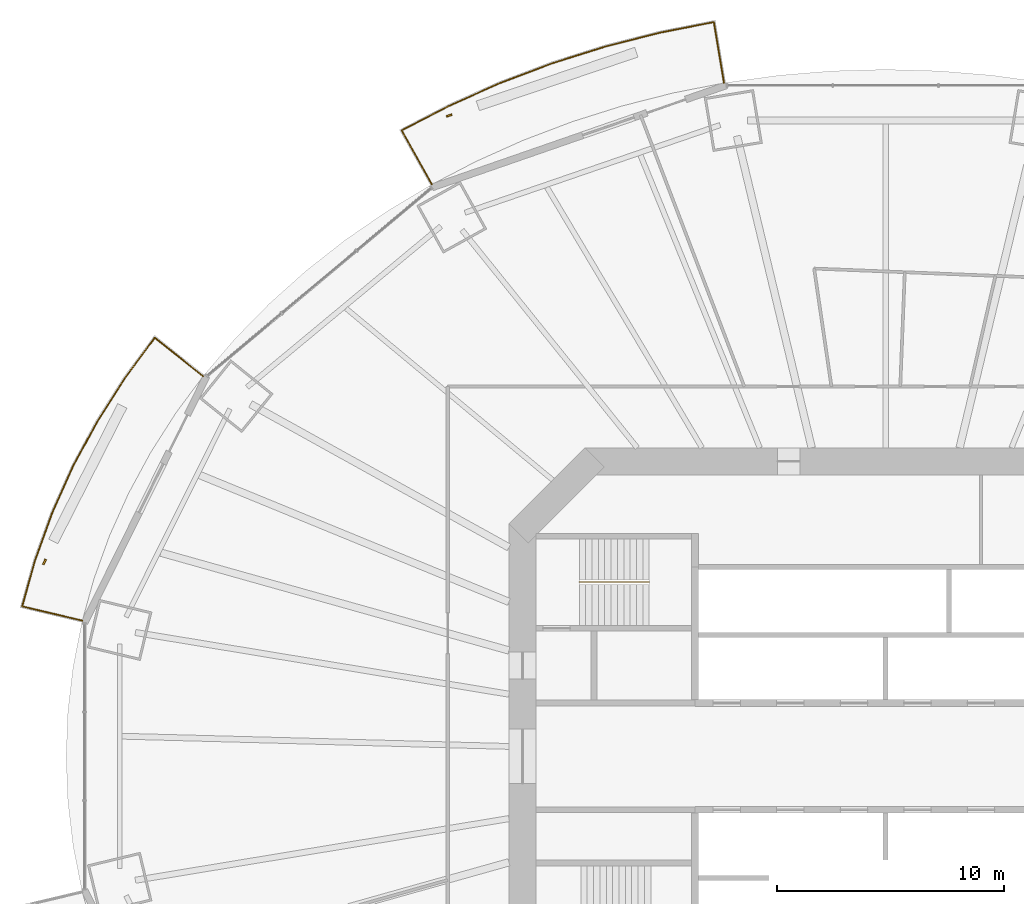
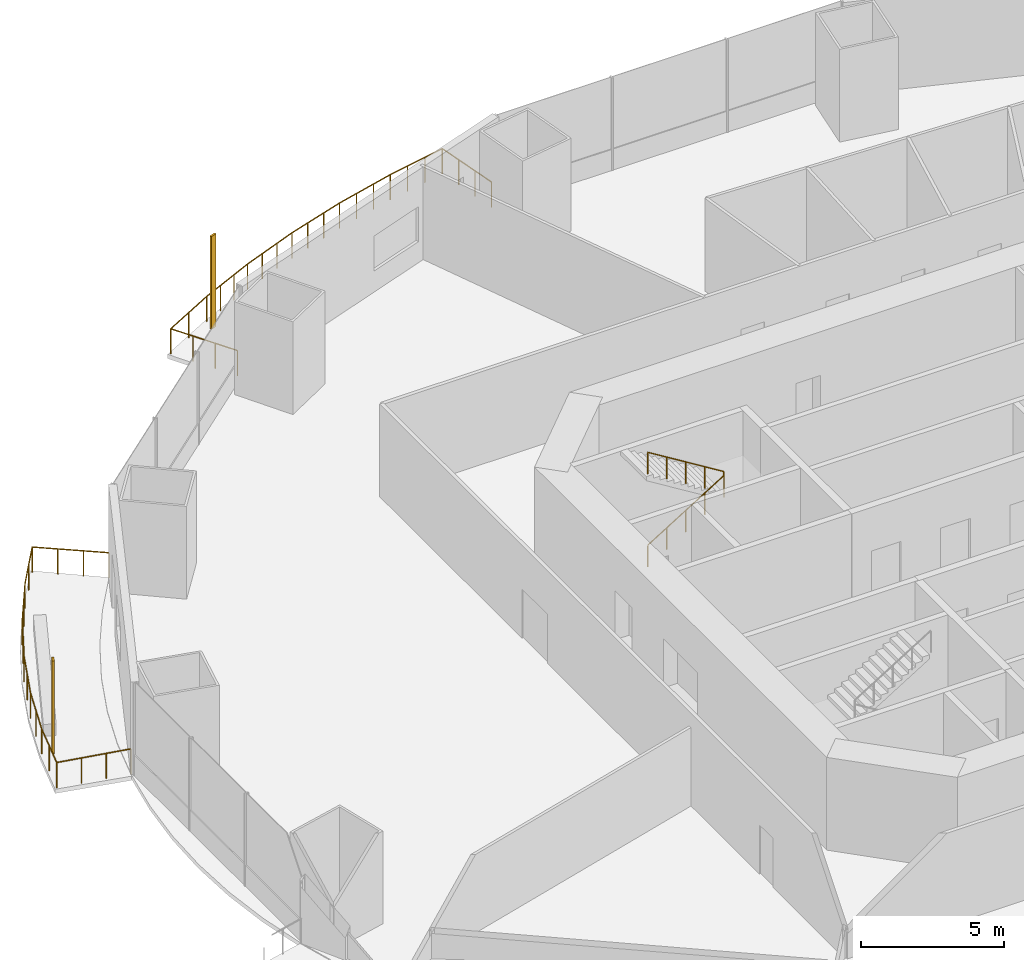
# One storey, part 20 of 23: 3 railings, 2 shading devices.
"""IFC4 building model written with IfcOpenShell, lengths in metres."""

from ifc_helpers import new_model, si_unit, direction, frame, origin, origin_2d, place, context, subcontext, project, spatial, rectangle, circle, extrude, material, material_profile, profile_set, type_object, element, save


model = new_model("IFC4")

# Units and contexts
model_context = context("Model", 3, precision=1e-05, world=origin(), true_north=direction((0.0, 1.0)))
body_context = subcontext(model_context, "Body", "Model", "MODEL_VIEW")
ifc_project = project(units=[si_unit("LENGTHUNIT", "METRE"), si_unit("AREAUNIT", "SQUARE_METRE"), si_unit("VOLUMEUNIT", "CUBIC_METRE"), si_unit("PLANEANGLEUNIT", "RADIAN"), si_unit("MASSUNIT", "GRAM", prefix="KILO")], contexts=[model_context])

# Site, building, storey
site_placement = place(None, origin())
site = spatial("IfcSite", under=ifc_project, at=site_placement, CompositionType="ELEMENT")
building_placement = place(site_placement, origin())
building = spatial("IfcBuilding", under=site, at=building_placement, Name="Marenthal Gate Tower", CompositionType="ELEMENT")
storey_placement = place(building_placement, frame((0.0, 0.0, 62.050048828125)))
storey = spatial("IfcBuildingStorey", under=building, at=storey_placement, Name="L11", CompositionType="ELEMENT", Elevation=62.050048828125)

# Railings
ifc_material_1 = material(Name="Stainless steel", Category="steel")
railing_type_1 = type_object("IfcRailingType", Name="Balcony guard 1100", PredefinedType="GUARDRAIL", material=ifc_material_1)
railing_1_placement = place(storey_placement, frame((-19.99462890625, 25.206787109375, 0.0)))
element("IfcRailing", 1, at=railing_1_placement, inside=storey, type_object=railing_type_1, Name="Balcony guard L11 bay 5", PredefinedType="GUARDRAIL", context=body_context, shape_type="SweptSolid", body=[
    extrude(circle(Radius=0.02392578125, at=origin_2d()), frame((0.0, 0.0, 1.076171875), z_axis=(-0.488848293332, 0.872244641619, -0.014718399138), x_axis=(-0.872339134705, -0.488901251851, 0.0)), (0.0, 0.0, 1.0), 2.720458984375),
    extrude(circle(Radius=0.02392578125, at=origin_2d()), frame((-1.329833984375, 2.372802734375, 1.0361328125), z_axis=(0.887238949587, 0.461310141159, 0.0), x_axis=(-0.461310141159, 0.887238949587, 0.0)), (0.0, 0.0, 1.0), 2.34619140625),
    extrude(circle(Radius=0.02392578125, at=origin_2d()), frame((0.751708984375, 3.455078125, 1.0361328125), z_axis=(0.912604464389, 0.408843602833, 0.0), x_axis=(-0.408843602833, 0.912604464389, 0.0)), (0.0, 0.0, 1.0), 2.443603515625),
    extrude(circle(Radius=0.02392578125, at=origin_2d()), frame((2.981689453125, 4.4541015625, 1.0361328125), z_axis=(0.934856725019, 0.355025215564, 0.0), x_axis=(-0.355025215564, 0.934856725019, 0.0)), (0.0, 0.0, 1.0), 2.459716796875),
    extrude(circle(Radius=0.02392578125, at=origin_2d()), frame((5.28125, 5.327392578125, 1.0361328125), z_axis=(0.953670609563, 0.300852735495, 0.0), x_axis=(-0.300852735495, 0.953670609563, 0.0)), (0.0, 0.0, 1.0), 2.474365234375),
    extrude(circle(Radius=0.02392578125, at=origin_2d()), frame((7.640869140625, 6.07177734375, 1.0361328125), z_axis=(0.969164557422, 0.24641440834, 0.0), x_axis=(-0.24641440834, 0.969164557422, 0.0)), (0.0, 0.0, 1.0), 2.48681640625),
    extrude(circle(Radius=0.02392578125, at=origin_2d()), frame((10.051025390625, 6.6845703125, 1.0361328125), z_axis=(0.981247114518, 0.192753988932, 0.0), x_axis=(-0.192753988932, 0.981247114518, 0.0)), (0.0, 0.0, 1.0), 2.416748046875),
    extrude(circle(Radius=0.02392578125, at=origin_2d()), frame((12.42236328125, 7.150390625, 1.0361328125), z_axis=(0.164599482451, -0.986250661205, 0.014718819587), x_axis=(0.986357511038, 0.164617315064, 0.0)), (0.0, 0.0, 1.0), 2.72021484375),
    extrude(circle(Radius=0.02099609375, at=origin_2d()), origin(), (0.0, 0.0, 1.0), 1.052001953125),
    extrude(circle(Radius=0.02099609375, at=origin_2d()), frame((-0.443359375, 0.791015625, -0.013427734375)), (0.0, 0.0, 1.0), 1.052001953125),
    extrude(circle(Radius=0.02099609375, at=origin_2d()), frame((-0.886474609375, 1.581787109375, -0.026611328125)), (0.0, 0.0, 1.0), 1.052001953125),
    extrude(circle(Radius=0.02099609375, at=origin_2d()), frame((-1.329833984375, 2.372802734375, -0.0400390625)), (0.0, 0.0, 1.0), 1.052001953125),
    extrude(circle(Radius=0.02099609375, at=origin_2d()), frame((-0.2890625, 2.9140625, -0.0400390625)), (0.0, 0.0, 1.0), 1.052001953125),
    extrude(circle(Radius=0.02099609375, at=origin_2d()), frame((0.751708984375, 3.455078125, -0.0400390625)), (0.0, 0.0, 1.0), 1.052001953125),
    extrude(circle(Radius=0.02099609375, at=origin_2d()), frame((1.4951171875, 3.7880859375, -0.0400390625)), (0.0, 0.0, 1.0), 1.052001953125),
    extrude(circle(Radius=0.02099609375, at=origin_2d()), frame((2.23828125, 4.12109375, -0.0400390625)), (0.0, 0.0, 1.0), 1.052001953125),
    extrude(circle(Radius=0.02099609375, at=origin_2d()), frame((2.981689453125, 4.4541015625, -0.0400390625)), (0.0, 0.0, 1.0), 1.052001953125),
    extrude(circle(Radius=0.02099609375, at=origin_2d()), frame((3.748291015625, 4.7451171875, -0.0400390625)), (0.0, 0.0, 1.0), 1.052001953125),
    extrude(circle(Radius=0.02099609375, at=origin_2d()), frame((4.5146484375, 5.036376953125, -0.0400390625)), (0.0, 0.0, 1.0), 1.052001953125),
    extrude(circle(Radius=0.02099609375, at=origin_2d()), frame((5.28125, 5.327392578125, -0.0400390625)), (0.0, 0.0, 1.0), 1.052001953125),
    extrude(circle(Radius=0.02099609375, at=origin_2d()), frame((6.06787109375, 5.575439453125, -0.0400390625)), (0.0, 0.0, 1.0), 1.052001953125),
    extrude(circle(Radius=0.02099609375, at=origin_2d()), frame((6.854248046875, 5.82373046875, -0.0400390625)), (0.0, 0.0, 1.0), 1.052001953125),
    extrude(circle(Radius=0.02099609375, at=origin_2d()), frame((7.640869140625, 6.07177734375, -0.0400390625)), (0.0, 0.0, 1.0), 1.052001953125),
    extrude(circle(Radius=0.02099609375, at=origin_2d()), frame((8.4443359375, 6.276123046875, -0.0400390625)), (0.0, 0.0, 1.0), 1.052001953125),
    extrude(circle(Radius=0.02099609375, at=origin_2d()), frame((9.24755859375, 6.480224609375, -0.0400390625)), (0.0, 0.0, 1.0), 1.052001953125),
    extrude(circle(Radius=0.02099609375, at=origin_2d()), frame((10.051025390625, 6.6845703125, -0.0400390625)), (0.0, 0.0, 1.0), 1.052001953125),
    extrude(circle(Radius=0.02099609375, at=origin_2d()), frame((10.841552734375, 6.83984375, -0.0400390625)), (0.0, 0.0, 1.0), 1.052001953125),
    extrude(circle(Radius=0.02099609375, at=origin_2d()), frame((11.6318359375, 6.9951171875, -0.0400390625)), (0.0, 0.0, 1.0), 1.052001953125),
    extrude(circle(Radius=0.02099609375, at=origin_2d()), frame((12.42236328125, 7.150390625, -0.0400390625)), (0.0, 0.0, 1.0), 1.052001953125),
    extrude(circle(Radius=0.02099609375, at=origin_2d()), frame((12.571533203125, 6.256103515625, -0.026611328125)), (0.0, 0.0, 1.0), 1.052001953125),
    extrude(circle(Radius=0.02099609375, at=origin_2d()), frame((12.720947265625, 5.36181640625, -0.013427734375)), (0.0, 0.0, 1.0), 1.052001953125),
    extrude(circle(Radius=0.02099609375, at=origin_2d()), frame((12.8701171875, 4.467529296875, 0.0)), (0.0, 0.0, 1.0), 1.052001953125),
])
railing_2_placement = place(storey_placement, frame((-35.402587890625, 5.983154296875, 0.0)))
element("IfcRailing", 2, at=railing_2_placement, inside=storey, type_object=railing_type_1, Name="Balcony guard L11 bay 7", PredefinedType="GUARDRAIL", context=body_context, shape_type="SweptSolid", body=[
    extrude(circle(Radius=0.02392578125, at=origin_2d()), frame((0.0, 0.0, 1.076171875), z_axis=(-0.972926666051, 0.23064491576, -0.014718196959), x_axis=(-0.230669901584, -0.973032063451, 0.0)), (0.0, 0.0, 1.0), 2.720458984375),
    extrude(circle(Radius=0.02392578125, at=origin_2d()), frame((-2.646728515625, 0.62744140625, 1.0361328125), z_axis=(0.269464118276, 0.96301043035, 0.0), x_axis=(-0.96301043035, 0.269464118276, 0.0)), (0.0, 0.0, 1.0), 2.130126953125),
    extrude(circle(Radius=0.02392578125, at=origin_2d()), frame((-2.07275390625, 2.6787109375, 1.0361328125), z_axis=(0.340268465621, 0.94032833165, 0.0), x_axis=(-0.94032833165, 0.340268465621, 0.0)), (0.0, 0.0, 1.0), 2.220703125),
    extrude(circle(Radius=0.02392578125, at=origin_2d()), frame((-1.317138671875, 4.766845703125, 1.0361328125), z_axis=(0.40966465878, 0.912236190549, 0.0), x_axis=(-0.912236190549, 0.40966465878, 0.0)), (0.0, 0.0, 1.0), 2.233642578125),
    extrude(circle(Radius=0.02392578125, at=origin_2d()), frame((-0.402099609375, 6.804443359375, 1.0361328125), z_axis=(0.475471623431, 0.879731058513, 0.0), x_axis=(-0.879731058513, 0.475471623431, 0.0)), (0.0, 0.0, 1.0), 2.2490234375),
    extrude(circle(Radius=0.02392578125, at=origin_2d()), frame((0.667236328125, 8.782958984375, 1.0361328125), z_axis=(0.537628198706, 0.843182020655, 0.0), x_axis=(-0.843182020655, 0.537628198706, 0.0)), (0.0, 0.0, 1.0), 2.26611328125),
    extrude(circle(Radius=0.02392578125, at=origin_2d()), frame((1.885498046875, 10.693603515625, 1.0361328125), z_axis=(0.59484873049, 0.803837662613, 0.0), x_axis=(-0.803837662613, 0.59484873049, 0.0)), (0.0, 0.0, 1.0), 2.204345703125),
    extrude(circle(Radius=0.02392578125, at=origin_2d()), frame((3.19677734375, 12.465576171875, 1.0361328125), z_axis=(0.782104673264, -0.6229732083, 0.014719436128), x_axis=(0.623040706516, 0.782189413137, 0.0)), (0.0, 0.0, 1.0), 2.72021484375),
    extrude(circle(Radius=0.02099609375, at=origin_2d()), origin(), (0.0, 0.0, 1.0), 1.052001953125),
    extrude(circle(Radius=0.02099609375, at=origin_2d()), frame((-0.88232421875, 0.209228515625, -0.013427734375)), (0.0, 0.0, 1.0), 1.052001953125),
    extrude(circle(Radius=0.02099609375, at=origin_2d()), frame((-1.764404296875, 0.418212890625, -0.026611328125)), (0.0, 0.0, 1.0), 1.052001953125),
    extrude(circle(Radius=0.02099609375, at=origin_2d()), frame((-2.646728515625, 0.62744140625, -0.0400390625)), (0.0, 0.0, 1.0), 1.052001953125),
    extrude(circle(Radius=0.02099609375, at=origin_2d()), frame((-2.35986328125, 1.653076171875, -0.0400390625)), (0.0, 0.0, 1.0), 1.052001953125),
    extrude(circle(Radius=0.02099609375, at=origin_2d()), frame((-2.07275390625, 2.6787109375, -0.0400390625)), (0.0, 0.0, 1.0), 1.052001953125),
    extrude(circle(Radius=0.02099609375, at=origin_2d()), frame((-1.69482421875, 3.72265625, -0.0400390625)), (0.0, 0.0, 1.0), 1.052001953125),
    extrude(circle(Radius=0.02099609375, at=origin_2d()), frame((-1.317138671875, 4.766845703125, -0.0400390625)), (0.0, 0.0, 1.0), 1.052001953125),
    extrude(circle(Radius=0.02099609375, at=origin_2d()), frame((-0.859619140625, 5.78564453125, -0.0400390625)), (0.0, 0.0, 1.0), 1.052001953125),
    extrude(circle(Radius=0.02099609375, at=origin_2d()), frame((-0.402099609375, 6.804443359375, -0.0400390625)), (0.0, 0.0, 1.0), 1.052001953125),
    extrude(circle(Radius=0.02099609375, at=origin_2d()), frame((0.132568359375, 7.793701171875, -0.0400390625)), (0.0, 0.0, 1.0), 1.052001953125),
    extrude(circle(Radius=0.02099609375, at=origin_2d()), frame((0.667236328125, 8.782958984375, -0.0400390625)), (0.0, 0.0, 1.0), 1.052001953125),
    extrude(circle(Radius=0.02099609375, at=origin_2d()), frame((1.2763671875, 9.73828125, -0.0400390625)), (0.0, 0.0, 1.0), 1.052001953125),
    extrude(circle(Radius=0.02099609375, at=origin_2d()), frame((1.885498046875, 10.693603515625, -0.0400390625)), (0.0, 0.0, 1.0), 1.052001953125),
    extrude(circle(Radius=0.02099609375, at=origin_2d()), frame((2.541015625, 11.57958984375, -0.0400390625)), (0.0, 0.0, 1.0), 1.052001953125),
    extrude(circle(Radius=0.02099609375, at=origin_2d()), frame((3.19677734375, 12.465576171875, -0.0400390625)), (0.0, 0.0, 1.0), 1.052001953125),
    extrude(circle(Radius=0.02099609375, at=origin_2d()), frame((3.906005859375, 11.900634765625, -0.026611328125)), (0.0, 0.0, 1.0), 1.052001953125),
    extrude(circle(Radius=0.02099609375, at=origin_2d()), frame((4.614990234375, 11.3359375, -0.013427734375)), (0.0, 0.0, 1.0), 1.052001953125),
    extrude(circle(Radius=0.02099609375, at=origin_2d()), frame((5.32421875, 10.77099609375, 0.0)), (0.0, 0.0, 1.0), 1.052001953125),
])
ifc_material_2 = material(Name="Stainless steel", Category="steel")
railing_type_2 = type_object("IfcRailingType", Name="Stair handrail", PredefinedType="HANDRAIL", material=ifc_material_2)
railing_3_placement = place(storey_placement, frame((-13.5, 7.675048828125, 0.1728515625)))
element("IfcRailing", 3, at=railing_3_placement, inside=storey, type_object=railing_type_2, Name="Handrail ST1", PredefinedType="HANDRAIL", context=body_context, shape_type="SweptSolid", body=[
    extrude(circle(Radius=0.0224609375, at=origin_2d()), frame((0.0, 0.0, 0.927490234375), z_axis=(0.850835241893, 0.0, 0.525432575268), x_axis=(0.0, 1.0, 0.0)), (0.0, 0.0, 1.0), 3.6201171875),
    extrude(circle(Radius=0.0224609375, at=origin_2d()), frame((3.080078125, 0.0, 2.82958984375), z_axis=(0.0, 0.0, 1.0), x_axis=(1.0, 0.0, 0.0)), (0.0, 0.0, 1.0), 0.1728515625),
    extrude(circle(Radius=0.0224609375, at=origin_2d()), frame((3.080078125, 0.0, 3.00244140625), z_axis=(-0.850835241893, 0.0, 0.525432575268), x_axis=(0.0, -1.0, 0.0)), (0.0, 0.0, 1.0), 3.6201171875),
    extrude(circle(Radius=0.02001953125, at=origin_2d()), origin(), (0.0, 0.0, 1.0), 0.905029296875),
    extrude(circle(Radius=0.02001953125, at=origin_2d()), frame((0.77001953125, 0.0, 0.4755859375)), (0.0, 0.0, 1.0), 0.905029296875),
    extrude(circle(Radius=0.02001953125, at=origin_2d()), frame((1.5400390625, 0.0, 0.951171875)), (0.0, 0.0, 1.0), 0.905029296875),
    extrude(circle(Radius=0.02001953125, at=origin_2d()), frame((2.31005859375, 0.0, 1.426513671875)), (0.0, 0.0, 1.0), 0.905029296875),
    extrude(circle(Radius=0.02001953125, at=origin_2d()), frame((3.080078125, 0.0, 1.902099609375)), (0.0, 0.0, 1.0), 0.905029296875),
    extrude(circle(Radius=0.02001953125, at=origin_2d()), frame((3.080078125, 0.0, 2.074951171875)), (0.0, 0.0, 1.0), 0.905029296875),
    extrude(circle(Radius=0.02001953125, at=origin_2d()), frame((2.31005859375, 0.0, 2.550537109375)), (0.0, 0.0, 1.0), 0.905029296875),
    extrude(circle(Radius=0.02001953125, at=origin_2d()), frame((1.5400390625, 0.0, 3.02587890625)), (0.0, 0.0, 1.0), 0.905029296875),
    extrude(circle(Radius=0.02001953125, at=origin_2d()), frame((0.77001953125, 0.0, 3.50146484375)), (0.0, 0.0, 1.0), 0.905029296875),
    extrude(circle(Radius=0.02001953125, at=origin_2d()), frame((0.0, 0.0, 3.97705078125)), (0.0, 0.0, 1.0), 0.905029296875),
])

# Shading devices
ifc_material_3 = material(Name="Terracotta", Category="masonry")
ifc_material_profile = material_profile(ifc_material_3, rectangle(XDim=0.25, YDim=0.080078125, at=origin_2d()), Name="Terracotta baguette 250x80")
ifc_profile_set = profile_set([ifc_material_profile], Name="Terracotta")
shading_device_type = type_object("IfcShadingDeviceType", Name="Terracotta BAGUETTE SCREEN 250x80", PredefinedType="USERDEFINED", material=ifc_profile_set)
for number, where, z_axis, x_axis, name in (
    (4, (-19.23291015625, 28.24072265625, -0.0400390625), (0.0, 0.0, 1.0), (-0.944672154092, -0.32801603815, 0.0), "Terracotta BAGUETTE L11 bay 5R"),
    (5, (-37.06591796875, 8.569580078125, -0.0400390625), (0.0, 0.0, 1.0), (-0.442993196296, -0.896524973459, 0.0), "Terracotta BAGUETTE L11 bay 7R"),
):
    element("IfcShadingDevice", number, at=place(storey_placement, frame(where, z_axis=z_axis, x_axis=x_axis)), inside=storey, type_object=shading_device_type, Name=name, ObjectType="BAGUETTE SCREEN", PredefinedType="USERDEFINED", context=body_context, shape_type="SweptSolid", body=[
        extrude(rectangle(XDim=0.25, YDim=0.080078125, at=origin_2d()), origin(), (0.0, 0.0, 1.0), 3.969970703125),
    ])

save(model, "model.ifc")
